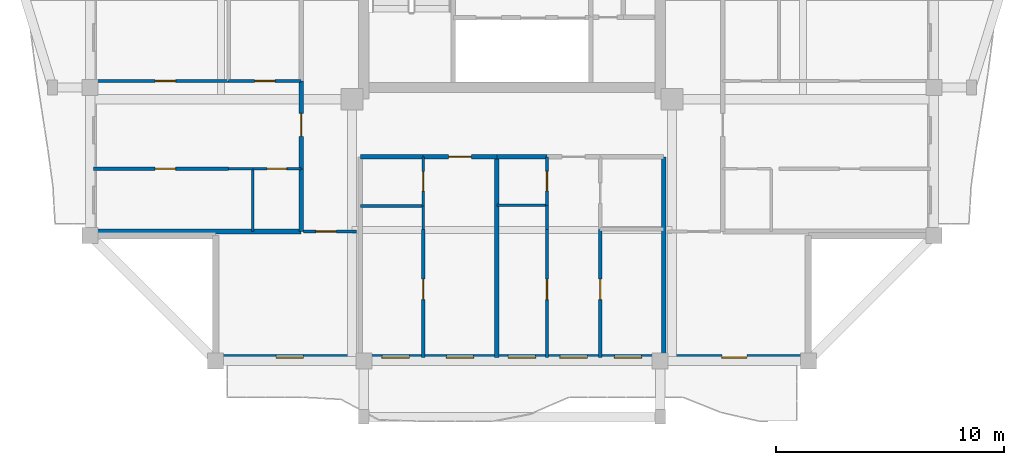
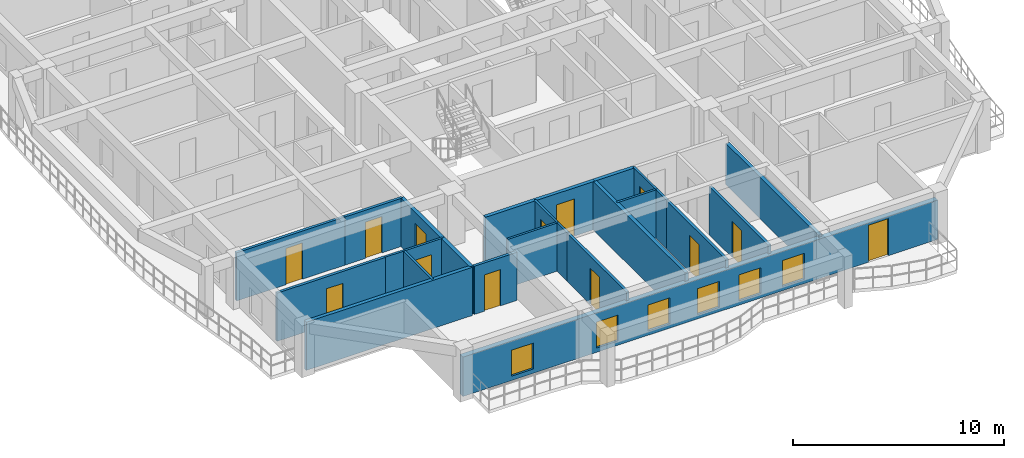
# One storey, part 2 of 14: 25 walls, 13 doors, 6 windows, 19 openings.
"""IFC4 building model written with IfcOpenShell, lengths in metres."""

from ifc_helpers import new_model, si_unit, direction, frame, frame_2d, origin, place, context, subcontext, project, spatial, rectangle, extrude, source, transform, mapped, material, layer, layer_set, type_object, element, fill, save


model = new_model("IFC4")

# Units and contexts
model_context = context("Model", 3, precision=1e-05, world=origin(), true_north=direction((0.0, 1.0)))
body_context = subcontext(model_context, "Body", "Model", "MODEL_VIEW")
ifc_project = project(units=[si_unit("LENGTHUNIT", "METRE"), si_unit("AREAUNIT", "SQUARE_METRE"), si_unit("VOLUMEUNIT", "CUBIC_METRE"), si_unit("PLANEANGLEUNIT", "RADIAN"), si_unit("MASSUNIT", "GRAM", prefix="KILO")], contexts=[model_context])

# Site, building, storey
site_placement = place(None, origin())
site = spatial("IfcSite", under=ifc_project, at=site_placement, CompositionType="ELEMENT")
building_placement = place(site_placement, origin())
building = spatial("IfcBuilding", under=site, at=building_placement, Name="Saelheon Loggia Tower", CompositionType="ELEMENT")
storey_placement = place(building_placement, frame((0.0, 0.0, 210.300048828125)))
storey = spatial("IfcBuildingStorey", under=building, at=storey_placement, Name="L65", CompositionType="ELEMENT", Elevation=210.300048828125)

# Wall, openings, windows, door
ifc_material_1 = material(Name="Architectural Precast Concrete C40/50", Category="concrete")
ifc_layer_1 = layer(ifc_material_1, 0.280029296875)
ifc_layer_set_1 = layer_set([ifc_layer_1], Name="Architectural Precast Concrete C40/50")
wall_type_1 = type_object("IfcWallType", Name="Wall_Ext_Loggia_280", PredefinedType="SOLIDWALL", material=ifc_layer_set_1)
wall_1_placement = place(storey_placement, frame((25.0, 6.139892578125, 0.0), z_axis=(0.0, 0.0, 1.0), x_axis=(1.0, 0.0, 0.0)))
wall_1 = element("IfcWall", 1, at=wall_1_placement, inside=storey, type_object=wall_type_1, Name="L65 South Loggia Inner Wall", PredefinedType="SOLIDWALL", context=body_context, shape_type="SweptSolid", body=[
    extrude(rectangle(XDim=26.0, YDim=0.280029296875, at=frame_2d((13.0, 0.0))), origin(), (0.0, 0.0, 1.0), 2.280029296875),
])
opening_1_placement = place(wall_1_placement, frame((2.64990234375, 0.0, 0.25)))
opening_1 = element("IfcOpeningElement", 2, at=opening_1_placement, cuts=wall_1, Name="Opening WN-03", PredefinedType="OPENING", context=body_context, shape_type="SweptSolid", body=[
    extrude(rectangle(XDim=1.199951171875, YDim=1.5, at=frame_2d((0.60009765625, 0.75))), frame((0.0, 0.152099609375, 0.0), z_axis=(0.0, -1.0, 0.0), x_axis=(1.0, 0.0, 0.0)), (0.0, 0.0, 1.0), 0.303955078125),
])
opening_2_placement = place(wall_1_placement, frame((7.29638671875, 0.0, 0.25)))
opening_2 = element("IfcOpeningElement", 3, at=opening_2_placement, cuts=wall_1, Name="Opening WN-03", PredefinedType="OPENING", context=body_context, shape_type="SweptSolid", body=[
    extrude(rectangle(XDim=1.199951171875, YDim=1.5, at=frame_2d((0.60009765625, 0.75))), frame((0.0, 0.152099609375, 0.0), z_axis=(0.0, -1.0, 0.0), x_axis=(1.0, 0.0, 0.0)), (0.0, 0.0, 1.0), 0.303955078125),
])
opening_3_placement = place(wall_1_placement, frame((10.118896484375, 0.0, 0.25)))
opening_3 = element("IfcOpeningElement", 4, at=opening_3_placement, cuts=wall_1, Name="Opening WN-03", PredefinedType="OPENING", context=body_context, shape_type="SweptSolid", body=[
    extrude(rectangle(XDim=1.199951171875, YDim=1.5, at=frame_2d((0.60009765625, 0.75))), frame((0.0, 0.152099609375, 0.0), z_axis=(0.0, -1.0, 0.0), x_axis=(1.0, 0.0, 0.0)), (0.0, 0.0, 1.0), 0.303955078125),
])
opening_4_placement = place(wall_1_placement, frame((12.8349609375, 0.0, 0.25)))
opening_4 = element("IfcOpeningElement", 5, at=opening_4_placement, cuts=wall_1, Name="Opening WN-03", PredefinedType="OPENING", context=body_context, shape_type="SweptSolid", body=[
    extrude(rectangle(XDim=1.199951171875, YDim=1.5, at=frame_2d((0.60009765625, 0.75))), frame((0.0, 0.152099609375, 0.0), z_axis=(0.0, -1.0, 0.0), x_axis=(1.0, 0.0, 0.0)), (0.0, 0.0, 1.0), 0.303955078125),
])
opening_5_placement = place(wall_1_placement, frame((15.1025390625, 0.0, 0.25)))
opening_5 = element("IfcOpeningElement", 6, at=opening_5_placement, cuts=wall_1, Name="Opening WN-03", PredefinedType="OPENING", context=body_context, shape_type="SweptSolid", body=[
    extrude(rectangle(XDim=1.199951171875, YDim=1.5, at=frame_2d((0.60009765625, 0.75))), frame((0.0, 0.152099609375, 0.0), z_axis=(0.0, -1.0, 0.0), x_axis=(1.0, 0.0, 0.0)), (0.0, 0.0, 1.0), 0.303955078125),
])
opening_6_placement = place(wall_1_placement, frame((17.489990234375, 0.0, 0.25)))
opening_6 = element("IfcOpeningElement", 7, at=opening_6_placement, cuts=wall_1, Name="Opening WN-03", PredefinedType="OPENING", context=body_context, shape_type="SweptSolid", body=[
    extrude(rectangle(XDim=1.199951171875, YDim=1.5, at=frame_2d((0.60009765625, 0.75))), frame((0.0, 0.152099609375, 0.0), z_axis=(0.0, -1.0, 0.0), x_axis=(1.0, 0.0, 0.0)), (0.0, 0.0, 1.0), 0.303955078125),
])
opening_7_placement = place(wall_1_placement, frame((23.300048828125, 0.0, 0.0), z_axis=(0.0, 0.0, 1.0), x_axis=(-1.0, 0.0, 0.0)))
opening_7 = element("IfcOpeningElement", 8, at=opening_7_placement, cuts=wall_1, Name="Opening TD1", PredefinedType="OPENING", context=body_context, shape_type="SweptSolid", body=[
    extrude(rectangle(XDim=1.10009765625, YDim=2.14990234375, at=frame_2d((0.550048828125, 1.074951171875))), frame((0.0, 0.152099609375, 0.0), z_axis=(0.0, -1.0, 0.0), x_axis=(1.0, 0.0, 0.0)), (0.0, 0.0, 1.0), 0.303955078125),
])
ifc_material_2 = material(Name="Thermal-Break Aluminium and Triple Low-E Glass", Category="aluminium")
window_type = type_object("IfcWindowType", Name="Win_Bedroom_1200x1500", PartitioningType="SINGLE_PANEL", PredefinedType="WINDOW", material=ifc_material_2)
shared_shape_1 = source(origin(), body_context, "Body", "SweptSolid", [
    extrude(rectangle(XDim=1.199951171875, YDim=1.5, at=frame_2d((0.60009765625, 0.75))), frame((0.0, 0.030029296875, 0.0), z_axis=(0.0, -1.0, 0.0), x_axis=(1.0, 0.0, 0.0)), (0.0, 0.0, 1.0), 0.06005859375),
])
window_1_placement = place(opening_1_placement, origin())
window_1 = element("IfcWindow", 9, at=window_1_placement, inside=storey, type_object=window_type, Name="L65 S Dwelling Window 1", OverallHeight=1.5, OverallWidth=1.199951171875, PartitioningType="SINGLE_PANEL", PredefinedType="WINDOW", context=body_context, shape_type="MappedRepresentation", body=[
    mapped(shared_shape_1, transform((0.0, 0.0, 0.0), scale=1.0)),
])
fill(opening_1, window_1)
window_2_placement = place(opening_2_placement, origin())
window_2 = element("IfcWindow", 10, at=window_2_placement, inside=storey, type_object=window_type, Name="L65 S Dwelling Window 2", OverallHeight=1.5, OverallWidth=1.199951171875, PartitioningType="SINGLE_PANEL", PredefinedType="WINDOW", context=body_context, shape_type="MappedRepresentation", body=[
    mapped(shared_shape_1, transform((0.0, 0.0, 0.0), scale=1.0)),
])
fill(opening_2, window_2)
window_3_placement = place(opening_3_placement, origin())
window_3 = element("IfcWindow", 11, at=window_3_placement, inside=storey, type_object=window_type, Name="L65 S Dwelling Window 3", OverallHeight=1.5, OverallWidth=1.199951171875, PartitioningType="SINGLE_PANEL", PredefinedType="WINDOW", context=body_context, shape_type="MappedRepresentation", body=[
    mapped(shared_shape_1, transform((0.0, 0.0, 0.0), scale=1.0)),
])
fill(opening_3, window_3)
window_4_placement = place(opening_4_placement, origin())
window_4 = element("IfcWindow", 12, at=window_4_placement, inside=storey, type_object=window_type, Name="L65 S Dwelling Window 4", OverallHeight=1.5, OverallWidth=1.199951171875, PartitioningType="SINGLE_PANEL", PredefinedType="WINDOW", context=body_context, shape_type="MappedRepresentation", body=[
    mapped(shared_shape_1, transform((0.0, 0.0, 0.0), scale=1.0)),
])
fill(opening_4, window_4)
window_5_placement = place(opening_5_placement, origin())
window_5 = element("IfcWindow", 13, at=window_5_placement, inside=storey, type_object=window_type, Name="L65 S Dwelling Window 5", OverallHeight=1.5, OverallWidth=1.199951171875, PartitioningType="SINGLE_PANEL", PredefinedType="WINDOW", context=body_context, shape_type="MappedRepresentation", body=[
    mapped(shared_shape_1, transform((0.0, 0.0, 0.0), scale=1.0)),
])
fill(opening_5, window_5)
window_6_placement = place(opening_6_placement, origin())
window_6 = element("IfcWindow", 14, at=window_6_placement, inside=storey, type_object=window_type, Name="L65 S Dwelling Window 6", OverallHeight=1.5, OverallWidth=1.199951171875, PartitioningType="SINGLE_PANEL", PredefinedType="WINDOW", context=body_context, shape_type="MappedRepresentation", body=[
    mapped(shared_shape_1, transform((0.0, 0.0, 0.0), scale=1.0)),
])
fill(opening_6, window_6)
ifc_material_3 = material(Name="Thermal-Break Aluminium Glazed Door", Category="aluminium")
door_type_1 = type_object("IfcDoorType", Name="Door_Terrace_TD1", OperationType="NOTDEFINED", PredefinedType="DOOR", material=ifc_material_3)
shared_shape_2 = source(origin(), body_context, "Body", "SweptSolid", [
    extrude(rectangle(XDim=1.10009765625, YDim=2.14990234375, at=frame_2d((0.550048828125, 1.074951171875))), frame((0.0, 0.02490234375, 0.0), z_axis=(0.0, -1.0, 0.0), x_axis=(1.0, 0.0, 0.0)), (0.0, 0.0, 1.0), 0.050048828125),
])
door_1_placement = place(opening_7_placement, origin())
door_1 = element("IfcDoor", 15, at=door_1_placement, inside=storey, type_object=door_type_1, Name="L65 S Loggia Access Door", OperationType="SINGLE_SWING_LEFT", OverallHeight=2.14990234375, OverallWidth=1.10009765625, PredefinedType="DOOR", context=body_context, shape_type="MappedRepresentation", body=[
    mapped(shared_shape_2, transform((0.0, 0.0, 0.0), scale=1.0)),
])
fill(opening_7, door_1)

# Wall, opening, door
ifc_material_4 = material(Name="Lightweight Autoclaved Aerated Concrete Block and Acoustic Gypsum", Category="concrete")
ifc_layer_2 = layer(ifc_material_4, 0.14990234375)
ifc_layer_set_2 = layer_set([ifc_layer_2], Name="Lightweight Autoclaved Aerated Concrete Block and Acoustic Gypsum")
wall_type_2 = type_object("IfcWallType", Name="Wall_Part_150", PredefinedType="PARTITIONING", material=ifc_layer_set_2)
wall_2_placement = place(storey_placement, frame((28.85009765625, 11.679931640625, 0.0), z_axis=(0.0, 0.0, 1.0), x_axis=(1.0, 0.0, 0.0)))
wall_2 = element("IfcWall", 16, at=wall_2_placement, inside=storey, type_object=wall_type_2, Name="PW-L65-CSW-H", PredefinedType="PARTITIONING", context=body_context, shape_type="SweptSolid", body=[
    extrude(rectangle(XDim=2.329833984375, YDim=0.14990234375, at=frame_2d((1.1650390625, 0.0))), origin(), (0.0, 0.0, 1.0), 2.7900390625),
])
opening_8_placement = place(wall_2_placement, frame((0.550048828125, 0.0, 0.0)))
opening_8 = element("IfcOpeningElement", 17, at=opening_8_placement, cuts=wall_2, Name="Opening D-IN2", PredefinedType="OPENING", context=body_context, shape_type="SweptSolid", body=[
    extrude(rectangle(XDim=0.89990234375, YDim=2.10009765625, at=frame_2d((0.449951171875, 1.050048828125))), frame((0.0, 0.0869140625, 0.0), z_axis=(0.0, -1.0, 0.0), x_axis=(1.0, 0.0, 0.0)), (0.0, 0.0, 1.0), 0.173828125),
])
ifc_material_5 = material(Name="Engineered Oak Flush Door", Category="timber")
door_type_2 = type_object("IfcDoorType", Name="Door_Int_900", OperationType="NOTDEFINED", PredefinedType="DOOR", material=ifc_material_5)
shared_shape_3 = source(origin(), body_context, "Body", "SweptSolid", [
    extrude(rectangle(XDim=0.89990234375, YDim=2.10009765625, at=frame_2d((0.449951171875, 1.050048828125))), frame((0.0, 0.02490234375, 0.0), z_axis=(0.0, -1.0, 0.0), x_axis=(1.0, 0.0, 0.0)), (0.0, 0.0, 1.0), 0.050048828125),
])
door_2_placement = place(opening_8_placement, origin())
door_2 = element("IfcDoor", 18, at=door_2_placement, inside=storey, type_object=door_type_2, Name="L65 Corner Home Office SW Door", OperationType="SINGLE_SWING_RIGHT", OverallHeight=2.10009765625, OverallWidth=0.89990234375, PredefinedType="DOOR", context=body_context, shape_type="MappedRepresentation", body=[
    mapped(shared_shape_3, transform((0.0, 0.0, 0.0), scale=1.0)),
])
fill(opening_8, door_2)

wall_3_placement = place(storey_placement, frame((34.10302734375, 11.77001953125, 0.0), z_axis=(0.0, 0.0, 1.0), x_axis=(0.0, -1.0, 0.0)))
wall_3 = element("IfcWall", 19, at=wall_3_placement, inside=storey, type_object=wall_type_2, Name="L65 S Partition U08", PredefinedType="PARTITIONING", context=body_context, shape_type="SweptSolid", body=[
    extrude(rectangle(XDim=5.6201171875, YDim=0.14990234375, at=frame_2d((2.81005859375, 0.0))), origin(), (0.0, 0.0, 1.0), 2.7900390625),
])
opening_9_placement = place(wall_3_placement, frame((2.183349609375, 0.0, 0.0)))
opening_9 = element("IfcOpeningElement", 20, at=opening_9_placement, cuts=wall_3, Name="Opening D-IN2", PredefinedType="OPENING", context=body_context, shape_type="SweptSolid", body=[
    extrude(rectangle(XDim=0.89990234375, YDim=2.10009765625, at=frame_2d((0.449951171875, 1.050048828125))), frame((0.0, 0.0869140625, 0.0), z_axis=(0.0, -1.0, 0.0), x_axis=(1.0, 0.0, 0.0)), (0.0, 0.0, 1.0), 0.173828125),
])
door_3_placement = place(opening_9_placement, origin())
door_3 = element("IfcDoor", 21, at=door_3_placement, inside=storey, type_object=door_type_2, Name="Unit U01 Kitchen Door", OperationType="SINGLE_SWING_RIGHT", OverallHeight=2.10009765625, OverallWidth=0.89990234375, PredefinedType="DOOR", context=body_context, shape_type="MappedRepresentation", body=[
    mapped(shared_shape_3, transform((0.0, 0.0, 0.0), scale=1.0)),
])
fill(opening_9, door_3)

wall_4_placement = place(storey_placement, frame((39.534912109375, 11.77001953125, 0.0), z_axis=(0.0, 0.0, 1.0), x_axis=(0.0, -1.0, 0.0)))
wall_4 = element("IfcWall", 22, at=wall_4_placement, inside=storey, type_object=wall_type_2, Name="L65 S Partition U17", PredefinedType="PARTITIONING", context=body_context, shape_type="SweptSolid", body=[
    extrude(rectangle(XDim=5.6201171875, YDim=0.14990234375, at=frame_2d((2.81005859375, 0.0))), origin(), (0.0, 0.0, 1.0), 2.7900390625),
])
opening_10_placement = place(wall_4_placement, frame((2.183349609375, 0.0, 0.0)))
opening_10 = element("IfcOpeningElement", 23, at=opening_10_placement, cuts=wall_4, Name="Opening D-IN2", PredefinedType="OPENING", context=body_context, shape_type="SweptSolid", body=[
    extrude(rectangle(XDim=0.89990234375, YDim=2.10009765625, at=frame_2d((0.449951171875, 1.050048828125))), frame((0.0, 0.0869140625, 0.0), z_axis=(0.0, -1.0, 0.0), x_axis=(1.0, 0.0, 0.0)), (0.0, 0.0, 1.0), 0.173828125),
])
door_4_placement = place(opening_10_placement, origin())
door_4 = element("IfcDoor", 24, at=door_4_placement, inside=storey, type_object=door_type_2, Name="Unit U02 Kitchen Door", OperationType="SINGLE_SWING_LEFT", OverallHeight=2.10009765625, OverallWidth=0.89990234375, PredefinedType="DOOR", context=body_context, shape_type="MappedRepresentation", body=[
    mapped(shared_shape_3, transform((0.0, 0.0, 0.0), scale=1.0)),
])
fill(opening_10, door_4)

wall_5_placement = place(storey_placement, frame((41.870361328125, 11.77001953125, 0.0), z_axis=(0.0, 0.0, 1.0), x_axis=(0.0, -1.0, 0.0)))
wall_5 = element("IfcWall", 25, at=wall_5_placement, inside=storey, type_object=wall_type_2, Name="L65 S Partition U19", PredefinedType="PARTITIONING", context=body_context, shape_type="SweptSolid", body=[
    extrude(rectangle(XDim=5.6201171875, YDim=0.14990234375, at=frame_2d((2.81005859375, 0.0))), origin(), (0.0, 0.0, 1.0), 2.7900390625),
])
opening_11_placement = place(wall_5_placement, frame((2.183349609375, 0.0, 0.0)))
opening_11 = element("IfcOpeningElement", 26, at=opening_11_placement, cuts=wall_5, Name="Opening D-IN2", PredefinedType="OPENING", context=body_context, shape_type="SweptSolid", body=[
    extrude(rectangle(XDim=0.89990234375, YDim=2.10009765625, at=frame_2d((0.449951171875, 1.050048828125))), frame((0.0, 0.0869140625, 0.0), z_axis=(0.0, -1.0, 0.0), x_axis=(1.0, 0.0, 0.0)), (0.0, 0.0, 1.0), 0.173828125),
])
door_5_placement = place(opening_11_placement, origin())
door_5 = element("IfcDoor", 27, at=door_5_placement, inside=storey, type_object=door_type_2, Name="Unit U02 Bedroom 1 Door", OperationType="SINGLE_SWING_LEFT", OverallHeight=2.10009765625, OverallWidth=0.89990234375, PredefinedType="DOOR", context=body_context, shape_type="MappedRepresentation", body=[
    mapped(shared_shape_3, transform((0.0, 0.0, 0.0), scale=1.0)),
])
fill(opening_11, door_5)

wall_6_placement = place(storey_placement, frame((25.570068359375, 14.429931640625, 0.0), z_axis=(0.0, 0.0, 1.0), x_axis=(-1.0, 0.0, 0.0)))
wall_6 = element("IfcWall", 28, at=wall_6_placement, inside=storey, type_object=wall_type_2, Name="L65 W Partition U10", PredefinedType="PARTITIONING", context=body_context, shape_type="SweptSolid", body=[
    extrude(rectangle(XDim=5.920166015625, YDim=0.14990234375, at=frame_2d((2.9599609375, 0.0))), origin(), (0.0, 0.0, 1.0), 2.7900390625),
])
opening_12_placement = place(wall_6_placement, frame((2.32080078125, 0.0, 0.0)))
opening_12 = element("IfcOpeningElement", 29, at=opening_12_placement, cuts=wall_6, Name="Opening D-IN2", PredefinedType="OPENING", context=body_context, shape_type="SweptSolid", body=[
    extrude(rectangle(XDim=0.89990234375, YDim=2.10009765625, at=frame_2d((0.449951171875, 1.050048828125))), frame((0.0, 0.0869140625, 0.0), z_axis=(0.0, -1.0, 0.0), x_axis=(1.0, 0.0, 0.0)), (0.0, 0.0, 1.0), 0.173828125),
])
door_6_placement = place(opening_12_placement, origin())
door_6 = element("IfcDoor", 30, at=door_6_placement, inside=storey, type_object=door_type_2, Name="Unit U05 Kitchen Door", OperationType="SINGLE_SWING_LEFT", OverallHeight=2.10009765625, OverallWidth=0.89990234375, PredefinedType="DOOR", context=body_context, shape_type="MappedRepresentation", body=[
    mapped(shared_shape_3, transform((0.0, 0.0, 0.0), scale=1.0)),
])
fill(opening_12, door_6)

wall_7_placement = place(storey_placement, frame((28.75, 18.280029296875, 0.0), z_axis=(0.0, 0.0, 1.0), x_axis=(-1.0, 0.0, 0.0)))
wall_7 = element("IfcWall", 31, at=wall_7_placement, inside=storey, type_object=wall_type_2, Name="L65 W Partition U11", PredefinedType="PARTITIONING", context=body_context, shape_type="SweptSolid", body=[
    extrude(rectangle(XDim=3.179931640625, YDim=0.14990234375, at=frame_2d((1.58984375, 0.0))), origin(), (0.0, 0.0, 1.0), 2.7900390625),
])
opening_13_placement = place(wall_7_placement, frame((1.139892578125, 0.0, 0.0)))
opening_13 = element("IfcOpeningElement", 32, at=opening_13_placement, cuts=wall_7, Name="Opening D-IN2", PredefinedType="OPENING", context=body_context, shape_type="SweptSolid", body=[
    extrude(rectangle(XDim=0.89990234375, YDim=2.10009765625, at=frame_2d((0.449951171875, 1.050048828125))), frame((0.0, 0.0869140625, 0.0), z_axis=(0.0, -1.0, 0.0), x_axis=(1.0, 0.0, 0.0)), (0.0, 0.0, 1.0), 0.173828125),
])
door_7_placement = place(opening_13_placement, origin())
door_7 = element("IfcDoor", 33, at=door_7_placement, inside=storey, type_object=door_type_2, Name="Unit U05 Dressing Closet Door", OperationType="SINGLE_SWING_RIGHT", OverallHeight=2.10009765625, OverallWidth=0.89990234375, PredefinedType="DOOR", context=body_context, shape_type="MappedRepresentation", body=[
    mapped(shared_shape_3, transform((0.0, 0.0, 0.0), scale=1.0)),
])
fill(opening_13, door_7)

wall_8_placement = place(storey_placement, frame((25.570068359375, 18.280029296875, 0.0), z_axis=(0.0, 0.0, 1.0), x_axis=(-1.0, 0.0, 0.0)))
wall_8 = element("IfcWall", 34, at=wall_8_placement, inside=storey, type_object=wall_type_2, Name="L65 W Partition U12", PredefinedType="PARTITIONING", context=body_context, shape_type="SweptSolid", body=[
    extrude(rectangle(XDim=5.920166015625, YDim=0.14990234375, at=frame_2d((2.9599609375, 0.0))), origin(), (0.0, 0.0, 1.0), 2.7900390625),
])
opening_14_placement = place(wall_8_placement, frame((2.32080078125, 0.0, 0.0)))
opening_14 = element("IfcOpeningElement", 35, at=opening_14_placement, cuts=wall_8, Name="Opening D-IN2", PredefinedType="OPENING", context=body_context, shape_type="SweptSolid", body=[
    extrude(rectangle(XDim=0.89990234375, YDim=2.10009765625, at=frame_2d((0.449951171875, 1.050048828125))), frame((0.0, 0.0869140625, 0.0), z_axis=(0.0, -1.0, 0.0), x_axis=(1.0, 0.0, 0.0)), (0.0, 0.0, 1.0), 0.173828125),
])
door_8_placement = place(opening_14_placement, origin())
door_8 = element("IfcDoor", 36, at=door_8_placement, inside=storey, type_object=door_type_2, Name="Unit U05 Bedroom 1 Door", OperationType="SINGLE_SWING_LEFT", OverallHeight=2.10009765625, OverallWidth=0.89990234375, PredefinedType="DOOR", context=body_context, shape_type="MappedRepresentation", body=[
    mapped(shared_shape_3, transform((0.0, 0.0, 0.0), scale=1.0)),
])
fill(opening_14, door_8)

# Walls
ifc_material_6 = material(Name="Double Acoustic Stud and Fireboard Partition", Category="gypsum")
ifc_layer_3 = layer(ifc_material_6, 0.199951171875)
ifc_layer_set_3 = layer_set([ifc_layer_3], Name="Double Acoustic Stud and Fireboard Partition")
wall_type_3 = type_object("IfcWallType", Name="Wall_Party_200", PredefinedType="PARTITIONING", material=ifc_layer_set_3)
wall_9_placement = place(storey_placement, frame((44.64990234375, 14.949951171875, 0.0), z_axis=(0.0, 0.0, 1.0), x_axis=(0.0, -1.0, 0.0)))
element("IfcWall", 37, at=wall_9_placement, inside=storey, type_object=wall_type_3, Name="L65 S Partition U02", PredefinedType="PARTITIONING", context=body_context, shape_type="SweptSolid", body=[
    extrude(rectangle(XDim=8.800048828125, YDim=0.199951171875, at=frame_2d((4.39990234375, 0.0))), origin(), (0.0, 0.0, 1.0), 2.389892578125),
])
wall_10_placement = place(storey_placement, frame((31.35009765625, 14.949951171875, 0.0), z_axis=(0.0, 0.0, 1.0), x_axis=(1.0, 0.0, 0.0)))
element("IfcWall", 38, at=wall_10_placement, inside=storey, type_object=wall_type_3, Name="L65 S Partition V03", PredefinedType="PARTITIONING", context=body_context, shape_type="SweptSolid", body=[
    extrude(rectangle(XDim=2.7529296875, YDim=0.199951171875, at=frame_2d((1.37646484375, 0.0))), origin(), (0.0, 0.0, 1.0), 2.7900390625),
])

# Wall, opening, door
wall_11_placement = place(storey_placement, frame((34.10302734375, 14.949951171875, 0.0), z_axis=(0.0, 0.0, 1.0), x_axis=(1.0, 0.0, 0.0)))
wall_11 = element("IfcWall", 39, at=wall_11_placement, inside=storey, type_object=wall_type_3, Name="L65 S Partition V04", PredefinedType="PARTITIONING", context=body_context, shape_type="SweptSolid", body=[
    extrude(rectangle(XDim=3.23193359375, YDim=0.199951171875, at=frame_2d((1.615966796875, 0.0))), origin(), (0.0, 0.0, 1.0), 2.7900390625),
])
opening_15_placement = place(wall_11_placement, frame((1.115966796875, 0.0, 0.0)))
opening_15 = element("IfcOpeningElement", 40, at=opening_15_placement, cuts=wall_11, Name="Opening D-FD1", PredefinedType="OPENING", context=body_context, shape_type="SweptSolid", body=[
    extrude(rectangle(XDim=1.0, YDim=2.14990234375, at=frame_2d((0.5, 1.074951171875))), frame((0.0, 0.112060546875, 0.0), z_axis=(0.0, -1.0, 0.0), x_axis=(1.0, 0.0, 0.0)), (0.0, 0.0, 1.0), 0.223876953125),
])
ifc_material_7 = material(Name="Fire-Rated Engineered Timber Entrance Door", Category="wood")
door_type_3 = type_object("IfcDoorType", Name="Door_Flat_FD30S", OperationType="NOTDEFINED", PredefinedType="DOOR", material=ifc_material_7)
shared_shape_4 = source(origin(), body_context, "Body", "SweptSolid", [
    extrude(rectangle(XDim=1.0, YDim=2.14990234375, at=frame_2d((0.5, 1.074951171875))), frame((0.0, 0.02490234375, 0.0), z_axis=(0.0, -1.0, 0.0), x_axis=(1.0, 0.0, 0.0)), (0.0, 0.0, 1.0), 0.050048828125),
])
door_9_placement = place(opening_15_placement, origin())
door_9 = element("IfcDoor", 41, at=door_9_placement, inside=storey, type_object=door_type_3, Name="Unit U01 Entrance Door", OperationType="SINGLE_SWING_RIGHT", OverallHeight=2.14990234375, OverallWidth=1.0, PredefinedType="DOOR", context=body_context, shape_type="MappedRepresentation", body=[
    mapped(shared_shape_4, transform((0.0, 0.0, 0.0), scale=1.0)),
])
fill(opening_15, door_9)

# Walls
wall_12_placement = place(storey_placement, frame((37.3349609375, 14.949951171875, 0.0), z_axis=(0.0, 0.0, 1.0), x_axis=(0.0, -1.0, 0.0)))
element("IfcWall", 42, at=wall_12_placement, inside=storey, type_object=wall_type_3, Name="L65 S Partition U09", PredefinedType="PARTITIONING", context=body_context, shape_type="SweptSolid", body=[
    extrude(rectangle(XDim=8.800048828125, YDim=0.199951171875, at=frame_2d((4.39990234375, 0.0))), origin(), (0.0, 0.0, 1.0), 2.7900390625),
])
wall_13_placement = place(storey_placement, frame((37.3349609375, 14.949951171875, 0.0), z_axis=(0.0, 0.0, 1.0), x_axis=(1.0, 0.0, 0.0)))
element("IfcWall", 43, at=wall_13_placement, inside=storey, type_object=wall_type_3, Name="L65 S Partition V10", PredefinedType="PARTITIONING", context=body_context, shape_type="SweptSolid", body=[
    extrude(rectangle(XDim=2.199951171875, YDim=0.199951171875, at=frame_2d((1.10009765625, 0.0))), origin(), (0.0, 0.0, 1.0), 2.7900390625),
])
wall_14_placement = place(storey_placement, frame((28.75, 11.679931640625, 0.0), z_axis=(0.0, 0.0, 1.0), x_axis=(-1.0, 0.0, 0.0)))
element("IfcWall", 44, at=wall_14_placement, inside=storey, type_object=wall_type_3, Name="L65 W Partition U01", PredefinedType="PARTITIONING", context=body_context, shape_type="SweptSolid", body=[
    extrude(rectangle(XDim=9.10009765625, YDim=0.199951171875, at=frame_2d((4.550048828125, 0.0))), origin(), (0.0, 0.0, 1.0), 2.7900390625),
])
wall_15_placement = place(storey_placement, frame((28.75, 11.679931640625, 0.0), z_axis=(0.0, 0.0, 1.0), x_axis=(0.0, 1.0, 0.0)))
element("IfcWall", 45, at=wall_15_placement, inside=storey, type_object=wall_type_3, Name="L65 W Partition V03", PredefinedType="PARTITIONING", context=body_context, shape_type="SweptSolid", body=[
    extrude(rectangle(XDim=2.75, YDim=0.199951171875, at=frame_2d((1.375, 0.0))), origin(), (0.0, 0.0, 1.0), 2.7900390625),
])

# Wall, opening, door
wall_16_placement = place(storey_placement, frame((28.75, 14.429931640625, 0.0), z_axis=(0.0, 0.0, 1.0), x_axis=(0.0, 1.0, 0.0)))
wall_16 = element("IfcWall", 46, at=wall_16_placement, inside=storey, type_object=wall_type_3, Name="L65 W Partition V04", PredefinedType="PARTITIONING", context=body_context, shape_type="SweptSolid", body=[
    extrude(rectangle(XDim=3.85009765625, YDim=0.199951171875, at=frame_2d((1.925048828125, 0.0))), origin(), (0.0, 0.0, 1.0), 2.7900390625),
])
opening_16_placement = place(wall_16_placement, frame((1.425048828125, 0.0, 0.0)))
opening_16 = element("IfcOpeningElement", 47, at=opening_16_placement, cuts=wall_16, Name="Opening D-FD1", PredefinedType="OPENING", context=body_context, shape_type="SweptSolid", body=[
    extrude(rectangle(XDim=1.0, YDim=2.14990234375, at=frame_2d((0.5, 1.074951171875))), frame((0.0, 0.112060546875, 0.0), z_axis=(0.0, -1.0, 0.0), x_axis=(1.0, 0.0, 0.0)), (0.0, 0.0, 1.0), 0.223876953125),
])
door_10_placement = place(opening_16_placement, origin())
door_10 = element("IfcDoor", 48, at=door_10_placement, inside=storey, type_object=door_type_3, Name="Unit U05 Entrance Door", OperationType="SINGLE_SWING_LEFT", OverallHeight=2.14990234375, OverallWidth=1.0, PredefinedType="DOOR", context=body_context, shape_type="MappedRepresentation", body=[
    mapped(shared_shape_4, transform((0.0, 0.0, 0.0), scale=1.0)),
])
fill(opening_16, door_10)

ifc_material_8 = material(Name="Moisture-Resistant Cement Board Partition", Category="gypsum")
ifc_layer_4 = layer(ifc_material_8, 0.1201171875)
ifc_layer_set_4 = layer_set([ifc_layer_4], Name="Moisture-Resistant Cement Board Partition")
wall_type_4 = type_object("IfcWallType", Name="Wall_WetPart_120", PredefinedType="PARTITIONING", material=ifc_layer_set_4)
wall_17_placement = place(storey_placement, frame((34.10302734375, 14.949951171875, 0.0), z_axis=(0.0, 0.0, 1.0), x_axis=(0.0, -1.0, 0.0)))
wall_17 = element("IfcWall", 49, at=wall_17_placement, inside=storey, type_object=wall_type_4, Name="L65 S Partition U05", PredefinedType="PARTITIONING", context=body_context, shape_type="SweptSolid", body=[
    extrude(rectangle(XDim=2.14990234375, YDim=0.1201171875, at=frame_2d((1.074951171875, 0.0))), origin(), (0.0, 0.0, 1.0), 2.7900390625),
])
opening_17_placement = place(wall_17_placement, frame((0.64990234375, 0.0, 0.0)))
opening_17 = element("IfcOpeningElement", 50, at=opening_17_placement, cuts=wall_17, Name="Opening D-BT1", PredefinedType="OPENING", context=body_context, shape_type="SweptSolid", body=[
    extrude(rectangle(XDim=0.85009765625, YDim=2.050048828125, at=frame_2d((0.425048828125, 1.02490234375))), frame((0.0, 0.072021484375, 0.0), z_axis=(0.0, -1.0, 0.0), x_axis=(1.0, 0.0, 0.0)), (0.0, 0.0, 1.0), 0.14404296875),
])
ifc_material_9 = material(Name="Moisture-Resistant Laminate Timber Door", Category="wood")
door_type_4 = type_object("IfcDoorType", Name="Door_Bath_850", OperationType="NOTDEFINED", PredefinedType="DOOR", material=ifc_material_9)
shared_shape_5 = source(origin(), body_context, "Body", "SweptSolid", [
    extrude(rectangle(XDim=0.85009765625, YDim=2.050048828125, at=frame_2d((0.425048828125, 1.02490234375))), frame((0.0, 0.02490234375, 0.0), z_axis=(0.0, -1.0, 0.0), x_axis=(1.0, 0.0, 0.0)), (0.0, 0.0, 1.0), 0.050048828125),
])
door_11_placement = place(opening_17_placement, origin())
door_11 = element("IfcDoor", 51, at=door_11_placement, inside=storey, type_object=door_type_4, Name="Unit U01 Bathroom Door", OperationType="SINGLE_SWING_LEFT", OverallHeight=2.050048828125, OverallWidth=0.85009765625, PredefinedType="DOOR", context=body_context, shape_type="MappedRepresentation", body=[
    mapped(shared_shape_5, transform((0.0, 0.0, 0.0), scale=1.0)),
])
fill(opening_17, door_11)

# Walls
wall_18_placement = place(storey_placement, frame((34.10302734375, 12.800048828125, 0.0), z_axis=(0.0, 0.0, 1.0), x_axis=(0.0, -1.0, 0.0)))
element("IfcWall", 52, at=wall_18_placement, inside=storey, type_object=wall_type_4, Name="L65 S Partition U06", PredefinedType="PARTITIONING", context=body_context, shape_type="SweptSolid", body=[
    extrude(rectangle(XDim=1.030029296875, YDim=0.1201171875, at=frame_2d((0.51513671875, 0.0))), origin(), (0.0, 0.0, 1.0), 2.7900390625),
])
wall_19_placement = place(storey_placement, frame((31.35009765625, 12.800048828125, 0.0), z_axis=(0.0, 0.0, 1.0), x_axis=(1.0, 0.0, 0.0)))
element("IfcWall", 53, at=wall_19_placement, inside=storey, type_object=wall_type_4, Name="L65 S Partition V07", PredefinedType="PARTITIONING", context=body_context, shape_type="SweptSolid", body=[
    extrude(rectangle(XDim=2.7529296875, YDim=0.1201171875, at=frame_2d((1.37646484375, 0.0))), origin(), (0.0, 0.0, 1.0), 2.7900390625),
])
wall_20_placement = place(storey_placement, frame((37.3349609375, 12.830078125, 0.0), z_axis=(0.0, 0.0, 1.0), x_axis=(1.0, 0.0, 0.0)))
element("IfcWall", 54, at=wall_20_placement, inside=storey, type_object=wall_type_4, Name="L65 S Partition V13", PredefinedType="PARTITIONING", context=body_context, shape_type="SweptSolid", body=[
    extrude(rectangle(XDim=2.199951171875, YDim=0.1201171875, at=frame_2d((1.10009765625, 0.0))), origin(), (0.0, 0.0, 1.0), 2.7900390625),
])

# Wall, opening, door
wall_21_placement = place(storey_placement, frame((39.534912109375, 14.949951171875, 0.0), z_axis=(0.0, 0.0, 1.0), x_axis=(0.0, -1.0, 0.0)))
wall_21 = element("IfcWall", 55, at=wall_21_placement, inside=storey, type_object=wall_type_4, Name="L65 S Partition U15", PredefinedType="PARTITIONING", context=body_context, shape_type="SweptSolid", body=[
    extrude(rectangle(XDim=2.119873046875, YDim=0.1201171875, at=frame_2d((1.06005859375, 0.0))), origin(), (0.0, 0.0, 1.0), 2.7900390625),
])
opening_18_placement = place(wall_21_placement, frame((0.635009765625, 0.0, 0.0)))
opening_18 = element("IfcOpeningElement", 56, at=opening_18_placement, cuts=wall_21, Name="Opening D-BT1", PredefinedType="OPENING", context=body_context, shape_type="SweptSolid", body=[
    extrude(rectangle(XDim=0.85009765625, YDim=2.050048828125, at=frame_2d((0.425048828125, 1.02490234375))), frame((0.0, 0.072021484375, 0.0), z_axis=(0.0, -1.0, 0.0), x_axis=(1.0, 0.0, 0.0)), (0.0, 0.0, 1.0), 0.14404296875),
])
door_12_placement = place(opening_18_placement, origin())
door_12 = element("IfcDoor", 57, at=door_12_placement, inside=storey, type_object=door_type_4, Name="Unit U02 Bathroom Door", OperationType="SINGLE_SWING_RIGHT", OverallHeight=2.050048828125, OverallWidth=0.85009765625, PredefinedType="DOOR", context=body_context, shape_type="MappedRepresentation", body=[
    mapped(shared_shape_5, transform((0.0, 0.0, 0.0), scale=1.0)),
])
fill(opening_18, door_12)

# Walls
wall_22_placement = place(storey_placement, frame((39.534912109375, 12.830078125, 0.0), z_axis=(0.0, 0.0, 1.0), x_axis=(0.0, -1.0, 0.0)))
element("IfcWall", 58, at=wall_22_placement, inside=storey, type_object=wall_type_4, Name="L65 S Partition U16", PredefinedType="PARTITIONING", context=body_context, shape_type="SweptSolid", body=[
    extrude(rectangle(XDim=1.06005859375, YDim=0.1201171875, at=frame_2d((0.530029296875, 0.0))), origin(), (0.0, 0.0, 1.0), 2.7900390625),
])
wall_23_placement = place(storey_placement, frame((26.6298828125, 11.679931640625, 0.0), z_axis=(0.0, 0.0, 1.0), x_axis=(0.0, 1.0, 0.0)))
element("IfcWall", 59, at=wall_23_placement, inside=storey, type_object=wall_type_4, Name="L65 W Partition V06", PredefinedType="PARTITIONING", context=body_context, shape_type="SweptSolid", body=[
    extrude(rectangle(XDim=2.75, YDim=0.1201171875, at=frame_2d((1.375, 0.0))), origin(), (0.0, 0.0, 1.0), 2.7900390625),
])

# Wall, opening, door
wall_24_placement = place(storey_placement, frame((28.75, 14.429931640625, 0.0), z_axis=(0.0, 0.0, 1.0), x_axis=(-1.0, 0.0, 0.0)))
wall_24 = element("IfcWall", 60, at=wall_24_placement, inside=storey, type_object=wall_type_4, Name="L65 W Partition U08", PredefinedType="PARTITIONING", context=body_context, shape_type="SweptSolid", body=[
    extrude(rectangle(XDim=2.1201171875, YDim=0.1201171875, at=frame_2d((1.06005859375, 0.0))), origin(), (0.0, 0.0, 1.0), 2.7900390625),
])
opening_19_placement = place(wall_24_placement, frame((0.635009765625, 0.0, 0.0)))
opening_19 = element("IfcOpeningElement", 61, at=opening_19_placement, cuts=wall_24, Name="Opening D-BT1", PredefinedType="OPENING", context=body_context, shape_type="SweptSolid", body=[
    extrude(rectangle(XDim=0.85009765625, YDim=2.050048828125, at=frame_2d((0.425048828125, 1.02490234375))), frame((0.0, 0.072021484375, 0.0), z_axis=(0.0, -1.0, 0.0), x_axis=(1.0, 0.0, 0.0)), (0.0, 0.0, 1.0), 0.14404296875),
])
door_13_placement = place(opening_19_placement, origin())
door_13 = element("IfcDoor", 62, at=door_13_placement, inside=storey, type_object=door_type_4, Name="Unit U05 Bathroom Door", OperationType="SINGLE_SWING_RIGHT", OverallHeight=2.050048828125, OverallWidth=0.85009765625, PredefinedType="DOOR", context=body_context, shape_type="MappedRepresentation", body=[
    mapped(shared_shape_5, transform((0.0, 0.0, 0.0), scale=1.0)),
])
fill(opening_19, door_13)

# Wall
wall_25_placement = place(storey_placement, frame((26.6298828125, 14.429931640625, 0.0), z_axis=(0.0, 0.0, 1.0), x_axis=(-1.0, 0.0, 0.0)))
element("IfcWall", 63, at=wall_25_placement, inside=storey, type_object=wall_type_4, Name="L65 W Partition U09", PredefinedType="PARTITIONING", context=body_context, shape_type="SweptSolid", body=[
    extrude(rectangle(XDim=1.059814453125, YDim=0.1201171875, at=frame_2d((0.52978515625, 0.0))), origin(), (0.0, 0.0, 1.0), 2.7900390625),
])

save(model, "model.ifc")
